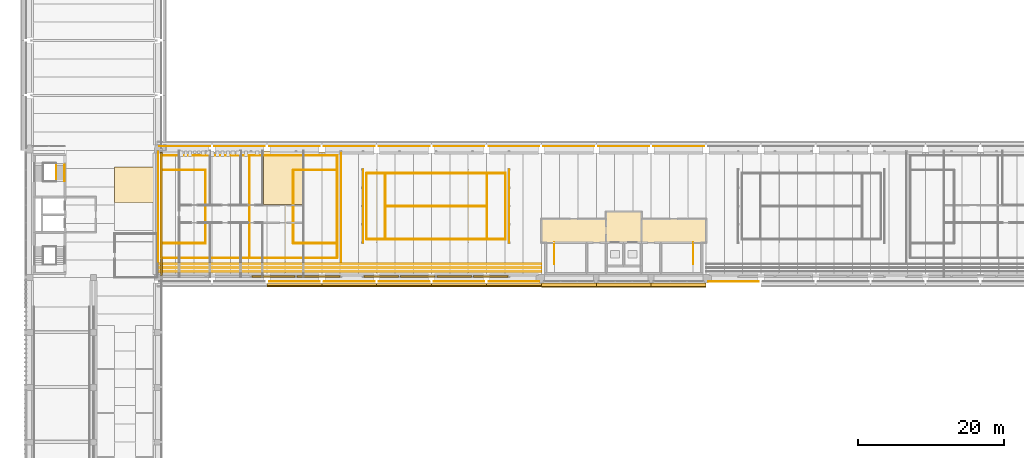
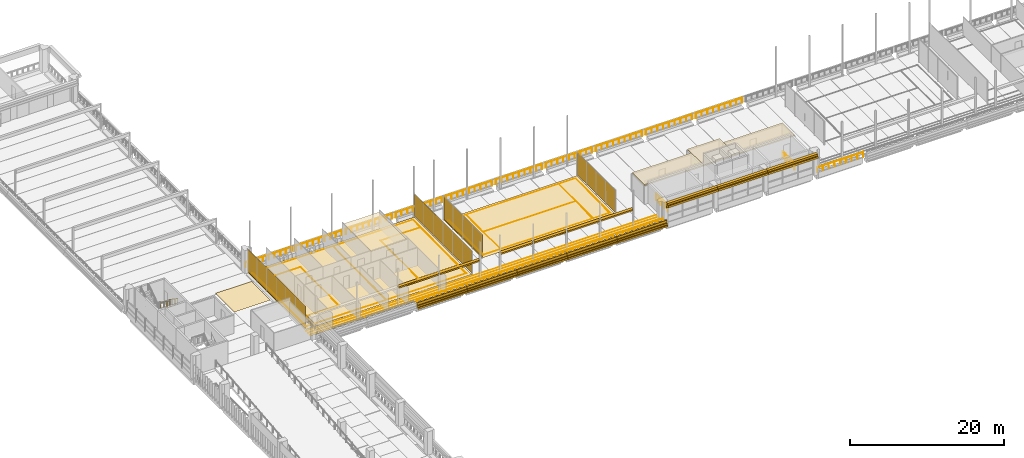
# One storey, part 51 of 62: 41 coverings, 22 railings, 15 shading devices, 3 elements without a shape of their own.
"""IFC4 building model written with IfcOpenShell, lengths in metres."""

from ifc_helpers import new_model, si_unit, direction, frame, origin, origin_2d, place, context, subcontext, project, spatial, polyline, rectangle, circle, outline, extrude, material, layer, layer_set, material_profile, profile_set, type_object, element, aggregate, save


model = new_model("IFC4")

# Units and contexts
model_context = context("Model", 3, precision=1e-05, world=origin(), true_north=direction((0.0, 1.0)))
body_context = subcontext(model_context, "Body", "Model", "MODEL_VIEW")
ifc_project = project(units=[si_unit("LENGTHUNIT", "METRE"), si_unit("AREAUNIT", "SQUARE_METRE"), si_unit("VOLUMEUNIT", "CUBIC_METRE"), si_unit("PLANEANGLEUNIT", "RADIAN"), si_unit("MASSUNIT", "GRAM", prefix="KILO")], contexts=[model_context])

# Site, building, storey
site_placement = place(None, origin())
site = spatial("IfcSite", under=ifc_project, at=site_placement, CompositionType="ELEMENT")
building_placement = place(site_placement, origin())
building = spatial("IfcBuilding", under=site, at=building_placement, Name="Cour d'Honneur Mobility Palace", CompositionType="ELEMENT")
storey_placement = place(building_placement, frame((0.0, 0.0, 19.300048828125)))
storey = spatial("IfcBuildingStorey", under=building, at=storey_placement, Name="L05", CompositionType="ELEMENT", Elevation=19.300048828125)

# Coverings
ifc_material_1 = material(Name="Accessible bay marking paint")
ifc_layer_1 = layer(ifc_material_1, 0.0048828125)
ifc_layer_set_1 = layer_set([ifc_layer_1], Name="Accessible bay marking paint")
covering_type_1 = type_object("IfcCoveringType", Name="Accessible parking bay marking", PredefinedType="FLOORING", material=ifc_layer_set_1)
covering_1_placement = place(storey_placement, origin())
element("IfcCovering", 1, at=covering_1_placement, inside=storey, type_object=covering_type_1, Name="Accessible parking bay marking L05 2", PredefinedType="FLOORING", context=body_context, shape_type="SweptSolid", body=[
    extrude(outline(polyline([(11.550048828125, 60.14990234375), (16.949951171875, 60.14990234375), (16.949951171875, 55.25), (11.550048828125, 55.25), (11.550048828125, 60.14990234375)])), origin(), (0.0, 0.0, 1.0), 0.0048828125),
])
ifc_material_2 = material(Name="Polyethylene ball-stop net dark green")
ifc_layer_2 = layer(ifc_material_2, 0.010009765625)
ifc_layer_set_2 = layer_set([ifc_layer_2], Name="Polyethylene ball-stop net dark green")
covering_type_2 = type_object("IfcCoveringType", Name="Ball-stop net", PredefinedType="CLADDING", material=ifc_layer_set_2)
for number, where, z_axis, x_axis, name in (
    (2, (17.5400390625, 47.199951171875, 0.14990234375), (1.0, 0.0, 0.0), (0.0, 1.0, 0.0), "Ball-stop net FW-1"),
    (3, (42.5400390625, 47.199951171875, 0.14990234375), (1.0, 0.0, 0.0), (0.0, 1.0, 0.0), "Ball-stop net FW-2"),
):
    element("IfcCovering", number, at=place(storey_placement, frame(where, z_axis=z_axis, x_axis=x_axis)), inside=storey, type_object=covering_type_2, Name=name, PredefinedType="CLADDING", context=body_context, shape_type="SweptSolid", body=[
        extrude(outline(polyline([(0.0, 0.0), (15.0, 0.0), (15.0, 3.590087890625), (0.0, 3.590087890625), (0.0, 0.0)])), origin(), (0.0, 0.0, -1.0), 0.010009765625),
    ])
for number, where, z_axis, x_axis, name in (
    (4, (45.5400390625, 49.75, 0.14990234375), (1.0, 0.0, 0.0), (0.0, 1.0, 0.0), "Ball-stop net PW-3"),
    (5, (65.5400390625, 49.75, 0.14990234375), (1.0, 0.0, 0.0), (0.0, 1.0, 0.0), "Ball-stop net PW-4"),
):
    element("IfcCovering", number, at=place(storey_placement, frame(where, z_axis=z_axis, x_axis=x_axis)), inside=storey, type_object=covering_type_2, Name=name, PredefinedType="CLADDING", context=body_context, shape_type="SweptSolid", body=[
        extrude(outline(polyline([(0.0, 0.0), (10.0, 0.0), (10.0, 3.590087890625), (0.0, 3.590087890625), (0.0, 0.0)])), origin(), (0.0, 0.0, -1.0), 0.010009765625),
    ])

# Railings
ifc_material_3 = material(Name="Painted steel", Category="steel")
railing_type_1 = type_object("IfcRailingType", Name="Balustrade", PredefinedType="BALUSTRADE", material=ifc_material_3)
for number, where, name in (
    (6, (32.699951171875, 44.449951171875, 0.300048828125), "Balustrade BAL-271"),
    (7, (40.199951171875, 44.449951171875, 0.300048828125), "Balustrade BAL-272"),
    (8, (47.699951171875, 44.449951171875, 0.300048828125), "Balustrade BAL-273"),
    (9, (55.199951171875, 44.449951171875, 0.300048828125), "Balustrade BAL-274"),
    (10, (62.699951171875, 44.449951171875, 0.300048828125), "Balustrade BAL-275"),
    (11, (92.699951171875, 44.449951171875, 0.300048828125), "Balustrade BAL-276"),
):
    element("IfcRailing", number, at=place(storey_placement, frame(where)), inside=storey, type_object=railing_type_1, Name=name, PredefinedType="BALUSTRADE", context=body_context, shape_type="SweptSolid", body=[
        extrude(circle(Radius=0.02392578125, at=origin_2d()), frame((0.0, 0.0, 0.77587890625), z_axis=(1.0, 0.0, 0.0), x_axis=(0.0, 1.0, 0.0)), (0.0, 0.0, 1.0), 6.900146484375),
        extrude(circle(Radius=0.02099609375, at=origin_2d()), origin(), (0.0, 0.0, 1.0), 0.751953125),
        extrude(circle(Radius=0.02099609375, at=origin_2d()), frame((0.862548828125, 0.0, 0.0)), (0.0, 0.0, 1.0), 0.751953125),
        extrude(circle(Radius=0.02099609375, at=origin_2d()), frame((1.72509765625, 0.0, 0.0)), (0.0, 0.0, 1.0), 0.751953125),
        extrude(circle(Radius=0.02099609375, at=origin_2d()), frame((2.587646484375, 0.0, 0.0)), (0.0, 0.0, 1.0), 0.751953125),
        extrude(circle(Radius=0.02099609375, at=origin_2d()), frame((3.4501953125, 0.0, 0.0)), (0.0, 0.0, 1.0), 0.751953125),
        extrude(circle(Radius=0.02099609375, at=origin_2d()), frame((4.3125, 0.0, 0.0)), (0.0, 0.0, 1.0), 0.751953125),
        extrude(circle(Radius=0.02099609375, at=origin_2d()), frame((5.175048828125, 0.0, 0.0)), (0.0, 0.0, 1.0), 0.751953125),
        extrude(circle(Radius=0.02099609375, at=origin_2d()), frame((6.03759765625, 0.0, 0.0)), (0.0, 0.0, 1.0), 0.751953125),
        extrude(circle(Radius=0.02099609375, at=origin_2d()), frame((6.900146484375, 0.0, 0.0)), (0.0, 0.0, 1.0), 0.751953125),
    ])
for number, where, name in (
    (12, (92.10009765625, 62.949951171875, 0.300048828125), "Balustrade BAL-314"),
    (13, (84.60009765625, 62.949951171875, 0.300048828125), "Balustrade BAL-315"),
    (14, (77.10009765625, 62.949951171875, 0.300048828125), "Balustrade BAL-316"),
    (15, (69.60009765625, 62.949951171875, 0.300048828125), "Balustrade BAL-317"),
    (16, (62.10009765625, 62.949951171875, 0.300048828125), "Balustrade BAL-318"),
    (17, (54.60009765625, 62.949951171875, 0.300048828125), "Balustrade BAL-319"),
    (18, (47.10009765625, 62.949951171875, 0.300048828125), "Balustrade BAL-320"),
    (19, (39.60009765625, 62.949951171875, 0.300048828125), "Balustrade BAL-321"),
    (20, (32.10009765625, 62.949951171875, 0.300048828125), "Balustrade BAL-322"),
    (21, (24.60009765625, 62.949951171875, 0.300048828125), "Balustrade BAL-323"),
):
    element("IfcRailing", number, at=place(storey_placement, frame(where)), inside=storey, type_object=railing_type_1, Name=name, PredefinedType="BALUSTRADE", context=body_context, shape_type="SweptSolid", body=[
        extrude(circle(Radius=0.02392578125, at=origin_2d()), frame((0.0, 0.0, 0.77587890625), z_axis=(-1.0, 0.0, 0.0), x_axis=(0.0, -1.0, 0.0)), (0.0, 0.0, 1.0), 6.900146484375),
        extrude(circle(Radius=0.02099609375, at=origin_2d()), origin(), (0.0, 0.0, 1.0), 0.751953125),
        extrude(circle(Radius=0.02099609375, at=origin_2d()), frame((-0.862548828125, 0.0, 0.0)), (0.0, 0.0, 1.0), 0.751953125),
        extrude(circle(Radius=0.02099609375, at=origin_2d()), frame((-1.72509765625, 0.0, 0.0)), (0.0, 0.0, 1.0), 0.751953125),
        extrude(circle(Radius=0.02099609375, at=origin_2d()), frame((-2.587646484375, 0.0, 0.0)), (0.0, 0.0, 1.0), 0.751953125),
        extrude(circle(Radius=0.02099609375, at=origin_2d()), frame((-3.4501953125, 0.0, 0.0)), (0.0, 0.0, 1.0), 0.751953125),
        extrude(circle(Radius=0.02099609375, at=origin_2d()), frame((-4.3125, 0.0, 0.0)), (0.0, 0.0, 1.0), 0.751953125),
        extrude(circle(Radius=0.02099609375, at=origin_2d()), frame((-5.175048828125, 0.0, 0.0)), (0.0, 0.0, 1.0), 0.751953125),
        extrude(circle(Radius=0.02099609375, at=origin_2d()), frame((-6.03759765625, 0.0, 0.0)), (0.0, 0.0, 1.0), 0.751953125),
        extrude(circle(Radius=0.02099609375, at=origin_2d()), frame((-6.900146484375, 0.0, 0.0)), (0.0, 0.0, 1.0), 0.751953125),
    ])

# Coverings
ifc_material_4 = material(Name="White court marking paint")
ifc_material_profile = material_profile(ifc_material_4, rectangle(XDim=0.10009765625, YDim=0.001953125, at=origin_2d()), Name="Court line marking")
ifc_profile_set = profile_set([ifc_material_profile], Name="White court marking paint")
covering_type_3 = type_object("IfcCoveringType", Name="Court line marking", PredefinedType="FLOORING", material=ifc_profile_set)
covering_2_placement = place(storey_placement, frame((18.0, 47.699951171875, 0.0009765625), z_axis=(1.0, 0.0, 0.0), x_axis=(0.0, 1.0, 0.0)))
element("IfcCovering", 22, at=covering_2_placement, inside=storey, type_object=covering_type_3, Name="Court marking FW-1", PredefinedType="FLOORING", context=body_context, shape_type="SweptSolid", body=[
    extrude(rectangle(XDim=0.10009765625, YDim=0.001953125, at=origin_2d()), origin(), (0.0, 0.0, 1.0), 24.0),
])
covering_3_placement = place(storey_placement, frame((42.0, 47.699951171875, 0.0009765625), z_axis=(0.0, 1.0, 0.0), x_axis=(-1.0, 0.0, 0.0)))
element("IfcCovering", 23, at=covering_3_placement, inside=storey, type_object=covering_type_3, Name="Court marking FW-2", PredefinedType="FLOORING", context=body_context, shape_type="SweptSolid", body=[
    extrude(rectangle(XDim=0.10009765625, YDim=0.001953125, at=origin_2d()), origin(), (0.0, 0.0, 1.0), 14.0),
])
covering_4_placement = place(storey_placement, frame((42.0, 61.699951171875, 0.0009765625), z_axis=(-1.0, 0.0, 0.0), x_axis=(0.0, -1.0, 0.0)))
element("IfcCovering", 24, at=covering_4_placement, inside=storey, type_object=covering_type_3, Name="Court marking FW-3", PredefinedType="FLOORING", context=body_context, shape_type="SweptSolid", body=[
    extrude(rectangle(XDim=0.10009765625, YDim=0.001953125, at=origin_2d()), origin(), (0.0, 0.0, 1.0), 24.0),
])
for number, where, z_axis, x_axis, name in (
    (25, (18.0, 61.699951171875, 0.0009765625), (0.0, -1.0, 0.0), (1.0, 0.0, 0.0), "Court marking FW-4"),
    (26, (30.0, 47.699951171875, 0.0009765625), (0.0, 1.0, 0.0), (-1.0, 0.0, 0.0), "Court marking FW-5"),
):
    element("IfcCovering", number, at=place(storey_placement, frame(where, z_axis=z_axis, x_axis=x_axis)), inside=storey, type_object=covering_type_3, Name=name, PredefinedType="FLOORING", context=body_context, shape_type="SweptSolid", body=[
        extrude(rectangle(XDim=0.10009765625, YDim=0.001953125, at=origin_2d()), origin(), (0.0, 0.0, 1.0), 14.0),
    ])
covering_5_placement = place(storey_placement, frame((24.0, 49.699951171875, 0.0009765625), z_axis=(0.0, 1.0, 0.0), x_axis=(-1.0, 0.0, 0.0)))
element("IfcCovering", 27, at=covering_5_placement, inside=storey, type_object=covering_type_3, Name="Court marking FW-6", PredefinedType="FLOORING", context=body_context, shape_type="SweptSolid", body=[
    extrude(rectangle(XDim=0.10009765625, YDim=0.001953125, at=origin_2d()), origin(), (0.0, 0.0, 1.0), 10.0),
])
for number, where, z_axis, x_axis, name in (
    (28, (18.0, 49.699951171875, 0.0009765625), (1.0, 0.0, 0.0), (0.0, 1.0, 0.0), "Court marking FW-7"),
    (29, (18.0, 59.699951171875, 0.0009765625), (1.0, 0.0, 0.0), (0.0, 1.0, 0.0), "Court marking FW-8"),
):
    element("IfcCovering", number, at=place(storey_placement, frame(where, z_axis=z_axis, x_axis=x_axis)), inside=storey, type_object=covering_type_3, Name=name, PredefinedType="FLOORING", context=body_context, shape_type="SweptSolid", body=[
        extrude(rectangle(XDim=0.10009765625, YDim=0.001953125, at=origin_2d()), origin(), (0.0, 0.0, 1.0), 6.0),
    ])
covering_6_placement = place(storey_placement, frame((36.0, 49.699951171875, 0.0009765625), z_axis=(0.0, 1.0, 0.0), x_axis=(-1.0, 0.0, 0.0)))
element("IfcCovering", 30, at=covering_6_placement, inside=storey, type_object=covering_type_3, Name="Court marking FW-9", PredefinedType="FLOORING", context=body_context, shape_type="SweptSolid", body=[
    extrude(rectangle(XDim=0.10009765625, YDim=0.001953125, at=origin_2d()), origin(), (0.0, 0.0, 1.0), 10.0),
])
for number, where, z_axis, x_axis, name in (
    (31, (42.0, 49.699951171875, 0.0009765625), (-1.0, 0.0, 0.0), (0.0, -1.0, 0.0), "Court marking FW-10"),
    (32, (42.0, 59.699951171875, 0.0009765625), (-1.0, 0.0, 0.0), (0.0, -1.0, 0.0), "Court marking FW-11"),
):
    element("IfcCovering", number, at=place(storey_placement, frame(where, z_axis=z_axis, x_axis=x_axis)), inside=storey, type_object=covering_type_3, Name=name, PredefinedType="FLOORING", context=body_context, shape_type="SweptSolid", body=[
        extrude(rectangle(XDim=0.10009765625, YDim=0.001953125, at=origin_2d()), origin(), (0.0, 0.0, 1.0), 6.0),
    ])
covering_7_placement = place(storey_placement, frame((46.0, 50.25, 0.0009765625), z_axis=(1.0, 0.0, 0.0), x_axis=(0.0, 1.0, 0.0)))
element("IfcCovering", 33, at=covering_7_placement, inside=storey, type_object=covering_type_3, Name="Court marking PW-12", PredefinedType="FLOORING", context=body_context, shape_type="SweptSolid", body=[
    extrude(rectangle(XDim=0.10009765625, YDim=0.001953125, at=origin_2d()), origin(), (0.0, 0.0, 1.0), 19.0),
])
covering_8_placement = place(storey_placement, frame((65.0, 50.25, 0.0009765625), z_axis=(0.0, 1.0, 0.0), x_axis=(-1.0, 0.0, 0.0)))
element("IfcCovering", 34, at=covering_8_placement, inside=storey, type_object=covering_type_3, Name="Court marking PW-13", PredefinedType="FLOORING", context=body_context, shape_type="SweptSolid", body=[
    extrude(rectangle(XDim=0.10009765625, YDim=0.001953125, at=origin_2d()), origin(), (0.0, 0.0, 1.0), 9.0),
])
covering_9_placement = place(storey_placement, frame((65.0, 59.25, 0.0009765625), z_axis=(-1.0, 0.0, 0.0), x_axis=(0.0, -1.0, 0.0)))
element("IfcCovering", 35, at=covering_9_placement, inside=storey, type_object=covering_type_3, Name="Court marking PW-14", PredefinedType="FLOORING", context=body_context, shape_type="SweptSolid", body=[
    extrude(rectangle(XDim=0.10009765625, YDim=0.001953125, at=origin_2d()), origin(), (0.0, 0.0, 1.0), 19.0),
])
for number, where, z_axis, x_axis, name in (
    (36, (46.0, 59.25, 0.0009765625), (0.0, -1.0, 0.0), (1.0, 0.0, 0.0), "Court marking PW-15"),
    (37, (48.550048828125, 50.25, 0.0009765625), (0.0, 1.0, 0.0), (-1.0, 0.0, 0.0), "Court marking PW-16"),
    (38, (62.449951171875, 50.25, 0.0009765625), (0.0, 1.0, 0.0), (-1.0, 0.0, 0.0), "Court marking PW-17"),
):
    element("IfcCovering", number, at=place(storey_placement, frame(where, z_axis=z_axis, x_axis=x_axis)), inside=storey, type_object=covering_type_3, Name=name, PredefinedType="FLOORING", context=body_context, shape_type="SweptSolid", body=[
        extrude(rectangle(XDim=0.10009765625, YDim=0.001953125, at=origin_2d()), origin(), (0.0, 0.0, 1.0), 9.0),
    ])
covering_10_placement = place(storey_placement, frame((48.550048828125, 54.75, 0.0009765625), z_axis=(1.0, 0.0, 0.0), x_axis=(0.0, 1.0, 0.0)))
element("IfcCovering", 39, at=covering_10_placement, inside=storey, type_object=covering_type_3, Name="Court marking PW-18", PredefinedType="FLOORING", context=body_context, shape_type="SweptSolid", body=[
    extrude(rectangle(XDim=0.10009765625, YDim=0.001953125, at=origin_2d()), origin(), (0.0, 0.0, 1.0), 13.89990234375),
])
for number, where, z_axis, x_axis, name in (
    (40, (17.5, 45.85009765625, 0.0009765625), (1.0, 0.0, 0.0), (0.0, 1.0, 0.0), "Court marking RTW-37"),
    (41, (17.5, 46.35009765625, 0.0009765625), (1.0, 0.0, 0.0), (0.0, 1.0, 0.0), "Court marking RTW-38"),
    (42, (17.5, 46.85009765625, 0.0009765625), (1.0, 0.0, 0.0), (0.0, 1.0, 0.0), "Court marking RTW-39"),
):
    element("IfcCovering", number, at=place(storey_placement, frame(where, z_axis=z_axis, x_axis=x_axis)), inside=storey, type_object=covering_type_3, Name=name, PredefinedType="FLOORING", context=body_context, shape_type="SweptSolid", body=[
        extrude(rectangle(XDim=0.10009765625, YDim=0.001953125, at=origin_2d()), origin(), (0.0, 0.0, 1.0), 52.39990234375),
    ])
ifc_material_5 = material(Name="Cast limestone", Category="masonry")
ifc_layer_3 = layer(ifc_material_5, 0.5)
ifc_layer_set_3 = layer_set([ifc_layer_3], Name="Cast limestone")
covering_type_4 = type_object("IfcCoveringType", Name="Crown cornice", PredefinedType="CLADDING", material=ifc_layer_set_3)
for number, where, z_axis, x_axis, name in (
    (43, (32.39990234375, 44.199951171875, 0.099853515625), (-1.0, 0.0, 0.0), (0.0, -1.0, 0.0), "Crown cornice CN-3"),
    (44, (39.89990234375, 44.199951171875, 0.099853515625), (-1.0, 0.0, 0.0), (0.0, -1.0, 0.0), "Crown cornice CN-4"),
    (45, (47.39990234375, 44.199951171875, 0.099853515625), (-1.0, 0.0, 0.0), (0.0, -1.0, 0.0), "Crown cornice CN-5"),
    (46, (54.89990234375, 44.199951171875, 0.099853515625), (-1.0, 0.0, 0.0), (0.0, -1.0, 0.0), "Crown cornice CN-6"),
    (47, (62.39990234375, 44.199951171875, 0.099853515625), (-1.0, 0.0, 0.0), (0.0, -1.0, 0.0), "Crown cornice CN-7"),
):
    element("IfcCovering", number, at=place(storey_placement, frame(where, z_axis=z_axis, x_axis=x_axis)), inside=storey, type_object=covering_type_4, Name=name, PredefinedType="CLADDING", context=body_context, shape_type="SweptSolid", body=[
        extrude(outline(polyline([(0.0, 0.0), (0.5, 0.0), (0.5, 0.25), (0.3798828125, 0.25), (0.3798828125, 0.5), (0.25, 0.5), (0.25, 0.900146484375), (0.0, 0.900146484375), (0.0, 0.0)])), origin(), (0.0, 0.0, -1.0), 7.5),
    ])
for number, where, z_axis, x_axis, name in (
    (48, (69.89990234375, 44.25, 2.800048828125), (-1.0, 0.0, 0.0), (0.0, -1.0, 0.0), "Crown cornice CN-53"),
    (49, (77.39990234375, 44.25, 2.800048828125), (-1.0, 0.0, 0.0), (0.0, -1.0, 0.0), "Crown cornice CN-54"),
    (50, (84.89990234375, 44.25, 2.800048828125), (-1.0, 0.0, 0.0), (0.0, -1.0, 0.0), "Crown cornice CN-55"),
):
    element("IfcCovering", number, at=place(storey_placement, frame(where, z_axis=z_axis, x_axis=x_axis)), inside=storey, type_object=covering_type_4, Name=name, PredefinedType="CLADDING", context=body_context, shape_type="SweptSolid", body=[
        extrude(outline(polyline([(0.0, 0.0), (0.199951171875, 0.0), (0.199951171875, 0.2998046875), (0.60009765625, 0.2998046875), (0.60009765625, 0.599853515625), (0.449951171875, 0.599853515625), (0.449951171875, 0.89990234375), (0.0, 0.89990234375), (0.0, 0.0)])), origin(), (0.0, 0.0, -1.0), 7.5),
    ])
ifc_material_6 = material(Name="Acrylic court surface green")
ifc_layer_4 = layer(ifc_material_6, 0.006103515625)
ifc_layer_set_4 = layer_set([ifc_layer_4], Name="Acrylic court surface green")
covering_type_5 = type_object("IfcCoveringType", Name="Futsal court surface", PredefinedType="FLOORING", material=ifc_layer_set_4)
covering_11_placement = place(storey_placement, frame((17.5, 47.199951171875, 0.0), z_axis=(0.0, 0.0, 1.0), x_axis=(1.0, 0.0, 0.0)))
element("IfcCovering", 51, at=covering_11_placement, inside=storey, type_object=covering_type_5, Name="Futsal Court West surface", PredefinedType="FLOORING", context=body_context, shape_type="SweptSolid", body=[
    extrude(outline(polyline([(0.0, 0.0), (25.0, 0.0), (25.0, 15.0), (0.0, 15.0), (0.0, 0.0)])), origin(), (0.0, 0.0, -1.0), 0.006103515625),
])

# Railings
ifc_material_7 = material(Name="Painted steel", Category="steel")
railing_type_2 = type_object("IfcRailingType", Name="Guardrail 1100", PredefinedType="GUARDRAIL", material=ifc_material_7)
railing_1_placement = place(storey_placement, frame((71.655029296875, 46.824951171875, 0.0)))
element("IfcRailing", 52, at=railing_1_placement, inside=storey, type_object=railing_type_2, Name="Guard ST-CC1", PredefinedType="GUARDRAIL", context=body_context, shape_type="SweptSolid", body=[
    extrude(circle(Radius=0.02490234375, at=origin_2d()), frame((0.0, 0.0, 1.0751953125), z_axis=(0.0, 1.0, 0.0), x_axis=(-1.0, 0.0, 0.0)), (0.0, 0.0, 1.0), 1.72509765625),
    extrude(circle(Radius=0.02099609375, at=origin_2d()), origin(), (0.0, 0.0, 1.0), 1.050048828125),
    extrude(circle(Radius=0.02099609375, at=origin_2d()), frame((0.0, 0.862548828125, 0.0)), (0.0, 0.0, 1.0), 1.050048828125),
    extrude(circle(Radius=0.02099609375, at=origin_2d()), frame((0.0, 1.72509765625, 0.0)), (0.0, 0.0, 1.0), 1.050048828125),
])
railing_2_placement = place(storey_placement, frame((71.655029296875, 48.550048828125, 0.0)))
element("IfcRailing", 53, at=railing_2_placement, inside=storey, type_object=railing_type_2, Name="Guard ST-CC1 top landing edge", PredefinedType="GUARDRAIL", context=body_context, shape_type="SweptSolid", body=[
    extrude(circle(Radius=0.02490234375, at=origin_2d()), frame((0.0, 0.0, 1.0751953125), z_axis=(0.0, 1.0, 0.0), x_axis=(-1.0, 0.0, 0.0)), (0.0, 0.0, 1.0), 1.25),
    extrude(circle(Radius=0.02099609375, at=origin_2d()), origin(), (0.0, 0.0, 1.0), 1.050048828125),
    extrude(circle(Radius=0.02099609375, at=origin_2d()), frame((0.0, 0.625, 0.0)), (0.0, 0.0, 1.0), 1.050048828125),
    extrude(circle(Radius=0.02099609375, at=origin_2d()), frame((0.0, 1.25, 0.0)), (0.0, 0.0, 1.0), 1.050048828125),
])
railing_3_placement = place(storey_placement, frame((90.64501953125, 46.824951171875, 0.0)))
element("IfcRailing", 54, at=railing_3_placement, inside=storey, type_object=railing_type_2, Name="Guard ST-CC2", PredefinedType="GUARDRAIL", context=body_context, shape_type="SweptSolid", body=[
    extrude(circle(Radius=0.02490234375, at=origin_2d()), frame((0.0, 0.0, 1.0751953125), z_axis=(0.0, 1.0, 0.0), x_axis=(-1.0, 0.0, 0.0)), (0.0, 0.0, 1.0), 1.72509765625),
    extrude(circle(Radius=0.02099609375, at=origin_2d()), origin(), (0.0, 0.0, 1.0), 1.050048828125),
    extrude(circle(Radius=0.02099609375, at=origin_2d()), frame((0.0, 0.862548828125, 0.0)), (0.0, 0.0, 1.0), 1.050048828125),
    extrude(circle(Radius=0.02099609375, at=origin_2d()), frame((0.0, 1.72509765625, 0.0)), (0.0, 0.0, 1.0), 1.050048828125),
])
railing_4_placement = place(storey_placement, frame((90.64501953125, 48.550048828125, 0.0)))
element("IfcRailing", 55, at=railing_4_placement, inside=storey, type_object=railing_type_2, Name="Guard ST-CC2 top landing edge", PredefinedType="GUARDRAIL", context=body_context, shape_type="SweptSolid", body=[
    extrude(circle(Radius=0.02490234375, at=origin_2d()), frame((0.0, 0.0, 1.0751953125), z_axis=(0.0, 1.0, 0.0), x_axis=(-1.0, 0.0, 0.0)), (0.0, 0.0, 1.0), 1.25),
    extrude(circle(Radius=0.02099609375, at=origin_2d()), origin(), (0.0, 0.0, 1.0), 1.050048828125),
    extrude(circle(Radius=0.02099609375, at=origin_2d()), frame((0.0, 0.625, 0.0)), (0.0, 0.0, 1.0), 1.050048828125),
    extrude(circle(Radius=0.02099609375, at=origin_2d()), frame((0.0, 1.25, 0.0)), (0.0, 0.0, 1.0), 1.050048828125),
])
ifc_material_8 = material(Name="Stainless steel", Category="steel")
railing_type_3 = type_object("IfcRailingType", Name="Handrail round 50", PredefinedType="HANDRAIL", material=ifc_material_8)
railing_5_placement = place(storey_placement, frame((4.75, 60.39990234375, 0.339111328125)))
element("IfcRailing", 56, at=railing_5_placement, inside=storey, type_object=railing_type_3, Name="Handrail ST-CW2", PredefinedType="HANDRAIL", context=body_context, shape_type="SweptSolid", body=[
    extrude(circle(Radius=0.02490234375, at=origin_2d()), frame((0.0, 0.0, 0.89501953125), z_axis=(0.0, -0.824928428624, 0.565237195917), x_axis=(1.0, 0.0, 0.0)), (0.0, 0.0, 1.0), 2.6728515625),
    extrude(circle(Radius=0.02099609375, at=origin_2d()), origin(), (0.0, 0.0, 1.0), 0.869873046875),
    extrude(circle(Radius=0.02099609375, at=origin_2d()), frame((0.0, -0.73486328125, 0.503662109375)), (0.0, 0.0, 1.0), 0.869873046875),
    extrude(circle(Radius=0.02099609375, at=origin_2d()), frame((0.0, -1.469970703125, 1.007080078125)), (0.0, 0.0, 1.0), 0.869873046875),
    extrude(circle(Radius=0.02099609375, at=origin_2d()), frame((0.0, -2.204833984375, 1.5107421875)), (0.0, 0.0, 1.0), 0.869873046875),
])
railing_6_placement = place(storey_placement, frame((3.60009765625, 60.625, 0.18505859375)))
element("IfcRailing", 57, at=railing_6_placement, inside=storey, type_object=railing_type_3, Name="Handrail ST-CW2", PredefinedType="HANDRAIL", context=body_context, shape_type="SweptSolid", body=[
    extrude(circle(Radius=0.02490234375, at=origin_2d()), frame((0.0, 0.0, 0.89501953125), z_axis=(0.0, -0.824957420862, 0.565194881227), x_axis=(1.0, 0.0, 0.0)), (0.0, 0.0, 1.0), 2.945556640625),
    extrude(circle(Radius=0.02099609375, at=origin_2d()), origin(), (0.0, 0.0, 1.0), 0.869873046875),
    extrude(circle(Radius=0.02099609375, at=origin_2d()), frame((0.0, -0.81005859375, 0.554931640625)), (0.0, 0.0, 1.0), 0.869873046875),
    extrude(circle(Radius=0.02099609375, at=origin_2d()), frame((0.0, -1.619873046875, 1.10986328125)), (0.0, 0.0, 1.0), 0.869873046875),
    extrude(circle(Radius=0.02099609375, at=origin_2d()), frame((0.0, -2.429931640625, 1.664794921875)), (0.0, 0.0, 1.0), 0.869873046875),
])

# Roof, covering
ifc_material_9 = material(Name="Zinc standing seam")
ifc_layer_5 = layer(ifc_material_9, 0.199951171875)
ifc_layer_set_5 = layer_set([ifc_layer_5], Name="Zinc standing seam")
roof_type = type_object("IfcRoofType", Name="Lobby roof", PredefinedType="FLAT_ROOF", material=ifc_layer_set_5)
roof_1_placement = place(storey_placement, origin())
roof_1 = element("IfcRoof", 58, at=roof_1_placement, inside=storey, type_object=roof_type, Name="Stair Lobby CC West roof", PredefinedType="FLAT_ROOF")
ifc_material_10 = material(Name="Zinc standing seam")
ifc_layer_6 = layer(ifc_material_10, 0.199951171875)
ifc_layer_set_6 = layer_set([ifc_layer_6], Name="Zinc standing seam")
covering_type_6 = type_object("IfcCoveringType", Name="Lobby roof panel", PredefinedType="ROOFING", material=ifc_layer_set_6)
covering_12_placement = place(storey_placement, frame((0.0, 0.0, 2.8798828125)))
covering_12 = element("IfcCovering", 59, at=covering_12_placement, type_object=covering_type_6, Name="Stair Lobby CC West roof panel LP-3", PredefinedType="ROOFING", context=body_context, shape_type="SweptSolid", body=[
    extrude(outline(polyline([(78.75, 49.800048828125), (78.75, 53.0), (69.89990234375, 53.0), (69.89990234375, 49.800048828125), (78.75, 49.800048828125)])), origin(), (0.0, 0.0, 1.0), 0.199951171875),
])
aggregate(roof_1, [covering_12])

roof_2_placement = place(storey_placement, origin())
roof_2 = element("IfcRoof", 60, at=roof_2_placement, inside=storey, type_object=roof_type, Name="Stair Lobby CC East roof", PredefinedType="FLAT_ROOF")
covering_13_placement = place(storey_placement, frame((0.0, 0.0, 2.8798828125)))
covering_13 = element("IfcCovering", 61, at=covering_13_placement, type_object=covering_type_6, Name="Stair Lobby CC East roof panel LP-4", PredefinedType="ROOFING", context=body_context, shape_type="SweptSolid", body=[
    extrude(outline(polyline([(92.39990234375, 49.800048828125), (92.39990234375, 53.0), (83.550048828125, 53.0), (83.550048828125, 49.800048828125), (92.39990234375, 49.800048828125)])), origin(), (0.0, 0.0, 1.0), 0.199951171875),
])
aggregate(roof_2, [covering_13])

roof_3_placement = place(storey_placement, origin())
roof_3 = element("IfcRoof", 62, at=roof_3_placement, inside=storey, type_object=roof_type, Name="Lift Lobby CC roof", PredefinedType="FLAT_ROOF")
covering_14_placement = place(storey_placement, frame((0.0, 0.0, 2.8798828125)))
covering_14 = element("IfcCovering", 63, at=covering_14_placement, type_object=covering_type_6, Name="Lift Lobby CC roof panel LP-5", PredefinedType="ROOFING", context=body_context, shape_type="SweptSolid", body=[
    extrude(outline(polyline([(83.550048828125, 49.800048828125), (83.550048828125, 54.0), (78.75, 54.0), (78.75, 49.800048828125), (83.550048828125, 49.800048828125)])), origin(), (0.0, 0.0, 1.0), 0.199951171875),
])
aggregate(roof_3, [covering_14])

# Coverings
ifc_material_11 = material(Name="Acrylic court surface blue")
ifc_layer_7 = layer(ifc_material_11, 0.006103515625)
ifc_layer_set_7 = layer_set([ifc_layer_7], Name="Acrylic court surface blue")
covering_type_7 = type_object("IfcCoveringType", Name="Padel court surface", PredefinedType="FLOORING", material=ifc_layer_set_7)
covering_15_placement = place(storey_placement, frame((45.5, 49.75, 0.0), z_axis=(0.0, 0.0, 1.0), x_axis=(1.0, 0.0, 0.0)))
element("IfcCovering", 64, at=covering_15_placement, inside=storey, type_object=covering_type_7, Name="Padel Court West surface", PredefinedType="FLOORING", context=body_context, shape_type="SweptSolid", body=[
    extrude(outline(polyline([(0.0, 0.0), (20.0, 0.0), (20.0, 10.0), (0.0, 10.0), (0.0, 0.0)])), origin(), (0.0, 0.0, -1.0), 0.006103515625),
])
ifc_material_12 = material(Name="Rubber track surface terracotta red", Category="masonry")
ifc_layer_8 = layer(ifc_material_12, 0.006103515625)
ifc_layer_set_8 = layer_set([ifc_layer_8], Name="Rubber track surface terracotta red")
covering_type_8 = type_object("IfcCoveringType", Name="Running track surface", PredefinedType="FLOORING", material=ifc_layer_set_8)
covering_16_placement = place(storey_placement, frame((17.5, 45.60009765625, 0.0), z_axis=(0.0, 0.0, 1.0), x_axis=(1.0, 0.0, 0.0)))
element("IfcCovering", 65, at=covering_16_placement, inside=storey, type_object=covering_type_8, Name="Running track West", PredefinedType="FLOORING", context=body_context, shape_type="SweptSolid", body=[
    extrude(outline(polyline([(0.0, 0.0), (52.39990234375, 0.0), (52.39990234375, 1.5), (0.0, 1.5), (0.0, 0.0)])), origin(), (0.0, 0.0, -1.0), 0.006103515625),
])
ifc_material_13 = material(Name="Suspended ceiling")
ifc_layer_9 = layer(ifc_material_13, 0.030029296875)
ifc_layer_set_9 = layer_set([ifc_layer_9], Name="Suspended ceiling")
covering_type_9 = type_object("IfcCoveringType", Name="Suspended ceiling", PredefinedType="CEILING", material=ifc_layer_set_9)
covering_17_placement = place(storey_placement, frame((0.0, 0.0, 2.550048828125)))
element("IfcCovering", 66, at=covering_17_placement, inside=storey, type_object=covering_type_9, Name="Ceiling First Aid Room", PredefinedType="CEILING", context=body_context, shape_type="SweptSolid", body=[
    extrude(outline(polyline([(37.280029296875, 55.02001953125), (31.919921875, 55.02001953125), (31.919921875, 62.280029296875), (37.280029296875, 62.280029296875), (37.280029296875, 55.02001953125)])), origin(), (0.0, 0.0, 1.0), 0.02978515625),
])

# Shading devices
ifc_material_14 = material(Name="Terracotta", Category="masonry")
ifc_layer_10 = layer(ifc_material_14, 0.02490234375)
ifc_layer_set_10 = layer_set([ifc_layer_10], Name="Terracotta")
shading_device_type = type_object("IfcShadingDeviceType", Name="Terracotta louvre blade", PredefinedType="JALOUSIE", material=ifc_layer_set_10)
for number, where, z_axis, x_axis, name in (
    (67, (17.843994140625, 45.300048828125, 1.099853515625), (-0.707106781187, 0.0, 0.707106781187), (0.0, 1.0, 0.0), "Louvre blade LV-1 E1.6 L05 1"),
    (68, (17.843994140625, 45.300048828125, 1.31201171875), (-0.707106781187, 0.0, 0.707106781187), (0.0, 1.0, 0.0), "Louvre blade LV-1 E1.6 L05 2"),
    (69, (17.843994140625, 45.300048828125, 1.524169921875), (-0.707106781187, 0.0, 0.707106781187), (0.0, 1.0, 0.0), "Louvre blade LV-1 E1.6 L05 3"),
):
    element("IfcShadingDevice", number, at=place(storey_placement, frame(where, z_axis=z_axis, x_axis=x_axis)), inside=storey, type_object=shading_device_type, Name=name, PredefinedType="JALOUSIE", context=body_context, shape_type="SweptSolid", body=[
        extrude(outline(polyline([(0.0, 0.0), (16.800048828125, 0.0), (16.800048828125, -0.30003700822808094), (0.0, -0.30003700822808094), (0.0, 0.0)])), origin(), (0.0, 0.0, -1.0), 0.02490234375),
    ])
for number, where, z_axis, x_axis, name in (
    (70, (30.300048828125, 45.01904296875, 3.39990234375), (0.0, -0.707513749017, 0.706699578995), (1.0, 0.0, 0.0), "Louvre blade LV-2 FW PG-FW-S3 1"),
    (71, (30.300048828125, 45.01904296875, 3.612060546875), (0.0, -0.707513749017, 0.706699578995), (1.0, 0.0, 0.0), "Louvre blade LV-2 FW PG-FW-S3 2"),
    (72, (36.449951171875, 45.01904296875, 3.39990234375), (0.0, -0.707513749017, 0.706699578995), (1.0, 0.0, 0.0), "Louvre blade LV-2 FW PG-FW-S4 1"),
    (73, (36.449951171875, 45.01904296875, 3.612060546875), (0.0, -0.707513749017, 0.706699578995), (1.0, 0.0, 0.0), "Louvre blade LV-2 FW PG-FW-S4 2"),
):
    element("IfcShadingDevice", number, at=place(storey_placement, frame(where, z_axis=z_axis, x_axis=x_axis)), inside=storey, type_object=shading_device_type, Name=name, PredefinedType="JALOUSIE", context=body_context, shape_type="SweptSolid", body=[
        extrude(outline(polyline([(0.0, 0.0), (5.949951171875, 0.0), (5.949951171875, 0.29986442442957895), (0.0, 0.29986442442957895), (0.0, 0.0)])), origin(), (0.0, 0.0, -1.0), 0.02490234375),
    ])
for number, where, z_axis, x_axis, name in (
    (74, (45.60009765625, 45.01904296875, 3.39990234375), (0.0, -0.707513749017, 0.706699578995), (1.0, 0.0, 0.0), "Louvre blade LV-2 PW PG-PW-S1 1"),
    (75, (45.60009765625, 45.01904296875, 3.612060546875), (0.0, -0.707513749017, 0.706699578995), (1.0, 0.0, 0.0), "Louvre blade LV-2 PW PG-PW-S1 2"),
    (76, (50.60009765625, 45.01904296875, 3.39990234375), (0.0, -0.707513749017, 0.706699578995), (1.0, 0.0, 0.0), "Louvre blade LV-2 PW PG-PW-S2 1"),
    (77, (50.60009765625, 45.01904296875, 3.612060546875), (0.0, -0.707513749017, 0.706699578995), (1.0, 0.0, 0.0), "Louvre blade LV-2 PW PG-PW-S2 2"),
    (78, (55.60009765625, 45.01904296875, 3.39990234375), (0.0, -0.707513749017, 0.706699578995), (1.0, 0.0, 0.0), "Louvre blade LV-2 PW PG-PW-S3 1"),
    (79, (55.60009765625, 45.01904296875, 3.612060546875), (0.0, -0.707513749017, 0.706699578995), (1.0, 0.0, 0.0), "Louvre blade LV-2 PW PG-PW-S3 2"),
    (80, (60.60009765625, 45.01904296875, 3.39990234375), (0.0, -0.707513749017, 0.706699578995), (1.0, 0.0, 0.0), "Louvre blade LV-2 PW PG-PW-S4 1"),
    (81, (60.60009765625, 45.01904296875, 3.612060546875), (0.0, -0.707513749017, 0.706699578995), (1.0, 0.0, 0.0), "Louvre blade LV-2 PW PG-PW-S4 2"),
):
    element("IfcShadingDevice", number, at=place(storey_placement, frame(where, z_axis=z_axis, x_axis=x_axis)), inside=storey, type_object=shading_device_type, Name=name, PredefinedType="JALOUSIE", context=body_context, shape_type="SweptSolid", body=[
        extrude(outline(polyline([(0.0, 0.0), (4.7998046875, 0.0), (4.7998046875, 0.29986442442957895), (0.0, 0.29986442442957895), (0.0, 0.0)])), origin(), (0.0, 0.0, -1.0), 0.02490234375),
    ])

save(model, "model.ifc")
